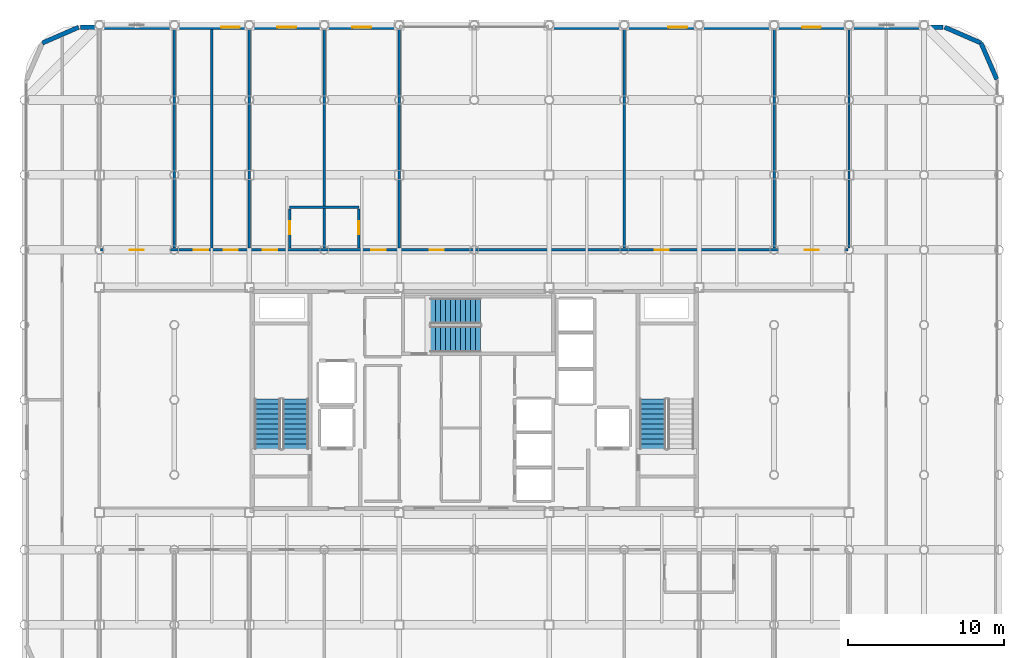
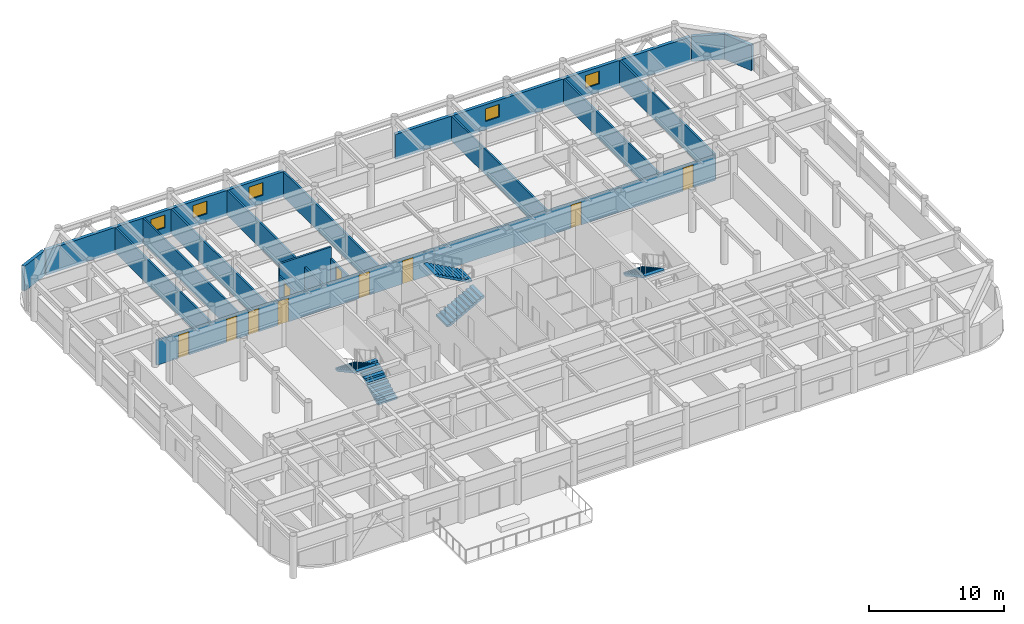
# One storey, part 23 of 26: 17 walls, 10 doors, 5 stair flights, 5 windows, 15 openings, 3 elements without a shape of their own.
"""IFC4 building model written with IfcOpenShell, lengths in metres."""

from ifc_helpers import new_model, si_unit, direction, frame, frame_2d, origin, place, context, subcontext, project, spatial, polyline, rectangle, outline, extrude, material, layer, layer_set, type_object, element, fill, aggregate, save


model = new_model("IFC4")

# Units and contexts
model_context = context("Model", 3, precision=1e-05, world=origin(), true_north=direction((0.0, 1.0)))
body_context = subcontext(model_context, "Body", "Model", "MODEL_VIEW")
ifc_project = project(units=[si_unit("LENGTHUNIT", "METRE"), si_unit("AREAUNIT", "SQUARE_METRE"), si_unit("VOLUMEUNIT", "CUBIC_METRE"), si_unit("PLANEANGLEUNIT", "RADIAN"), si_unit("MASSUNIT", "GRAM", prefix="KILO")], contexts=[model_context])

# Site, building, storey
site_placement = place(None, origin())
site = spatial("IfcSite", under=ifc_project, at=site_placement, CompositionType="ELEMENT")
building_placement = place(site_placement, origin())
building = spatial("IfcBuilding", under=site, at=building_placement, Name="Kallvorn Hotel Tower", CompositionType="ELEMENT")
storey_placement = place(building_placement, frame((0.0, 0.0, 222.300048828125)))
storey = spatial("IfcBuildingStorey", under=building, at=storey_placement, Name="L55", CompositionType="ELEMENT", Elevation=222.300048828125)

# Wall, openings, doors
ifc_material_1 = material(Name="Fire-rated double-layer acoustic gypsum drywall EI 60")
ifc_layer_1 = layer(ifc_material_1, 0.159912109375)
ifc_layer_set_1 = layer_set([ifc_layer_1], Name="WL_DEMISE_160")
wall_type_1 = type_object("IfcWallType", Name="WL_DEMISE_160", PredefinedType="PARTITIONING", material=ifc_layer_set_1)
wall_1_placement = place(storey_placement, frame((-23.919921875, 9.60009765625, 0.0), z_axis=(0.0, 0.0, 1.0), x_axis=(1.0, 0.0, 0.0)))
wall_1 = element("IfcWall", 1, at=wall_1_placement, inside=storey, type_object=wall_type_1, Name="L55 Suite 5503 Standard Twin Room Partition", PredefinedType="PARTITIONING", context=body_context, shape_type="SweptSolid", body=[
    extrude(rectangle(XDim=47.83984375, YDim=0.159912109375, at=frame_2d((23.919921875, 0.0))), origin(), (0.0, 0.0, 1.0), 2.27001953125),
])
opening_1_placement = place(wall_1_placement, frame((1.8701171875, 0.0, 0.0)))
opening_1 = element("IfcOpeningElement", 2, at=opening_1_placement, cuts=wall_1, Name="Opening SVD1", PredefinedType="OPENING", context=body_context, shape_type="SweptSolid", body=[
    extrude(rectangle(XDim=0.89990234375, YDim=2.10009765625, at=frame_2d((0.449951171875, 1.050048828125))), frame((0.0, 0.094970703125, 0.0), z_axis=(0.0, -1.0, 0.0), x_axis=(1.0, 0.0, 0.0)), (0.0, 0.0, 1.0), 0.18994140625),
])
opening_2_placement = place(wall_1_placement, frame((45.070068359375, 0.0, 0.0)))
opening_2 = element("IfcOpeningElement", 3, at=opening_2_placement, cuts=wall_1, Name="Opening SVD1", PredefinedType="OPENING", context=body_context, shape_type="SweptSolid", body=[
    extrude(rectangle(XDim=0.89990234375, YDim=2.10009765625, at=frame_2d((0.449951171875, 1.050048828125))), frame((0.0, 0.094970703125, 0.0), z_axis=(0.0, -1.0, 0.0), x_axis=(1.0, 0.0, 0.0)), (0.0, 0.0, 1.0), 0.18994140625),
])
opening_3_placement = place(wall_1_placement, frame((5.97998046875, 0.0, 0.0)))
opening_3 = element("IfcOpeningElement", 4, at=opening_3_placement, cuts=wall_1, Name="Opening SVD1", PredefinedType="OPENING", context=body_context, shape_type="SweptSolid", body=[
    extrude(rectangle(XDim=0.89990234375, YDim=2.10009765625, at=frame_2d((0.449951171875, 1.050048828125))), frame((0.0, 0.094970703125, 0.0), z_axis=(0.0, -1.0, 0.0), x_axis=(1.0, 0.0, 0.0)), (0.0, 0.0, 1.0), 0.18994140625),
])
opening_4_placement = place(wall_1_placement, frame((7.8701171875, 0.0, 0.0)))
opening_4 = element("IfcOpeningElement", 5, at=opening_4_placement, cuts=wall_1, Name="Opening SVD1", PredefinedType="OPENING", context=body_context, shape_type="SweptSolid", body=[
    extrude(rectangle(XDim=0.89990234375, YDim=2.10009765625, at=frame_2d((0.449951171875, 1.050048828125))), frame((0.0, 0.094970703125, 0.0), z_axis=(0.0, -1.0, 0.0), x_axis=(1.0, 0.0, 0.0)), (0.0, 0.0, 1.0), 0.18994140625),
])
opening_5_placement = place(wall_1_placement, frame((10.39501953125, 0.0, 0.0)))
opening_5 = element("IfcOpeningElement", 6, at=opening_5_placement, cuts=wall_1, Name="Opening GD1", PredefinedType="OPENING", context=body_context, shape_type="SweptSolid", body=[
    extrude(rectangle(XDim=0.919921875, YDim=2.14990234375, at=frame_2d((0.4599609375, 1.074951171875))), frame((0.0, 0.094970703125, 0.0), z_axis=(0.0, -1.0, 0.0), x_axis=(1.0, 0.0, 0.0)), (0.0, 0.0, 1.0), 0.18994140625),
])
opening_6_placement = place(wall_1_placement, frame((17.324951171875, 0.0, 0.0)))
opening_6 = element("IfcOpeningElement", 7, at=opening_6_placement, cuts=wall_1, Name="Opening GD1", PredefinedType="OPENING", context=body_context, shape_type="SweptSolid", body=[
    extrude(rectangle(XDim=0.919921875, YDim=2.14990234375, at=frame_2d((0.4599609375, 1.074951171875))), frame((0.0, 0.094970703125, 0.0), z_axis=(0.0, -1.0, 0.0), x_axis=(1.0, 0.0, 0.0)), (0.0, 0.0, 1.0), 0.18994140625),
])
opening_7_placement = place(wall_1_placement, frame((21.070068359375, 0.0, 0.0)))
opening_7 = element("IfcOpeningElement", 8, at=opening_7_placement, cuts=wall_1, Name="Opening SVD1", PredefinedType="OPENING", context=body_context, shape_type="SweptSolid", body=[
    extrude(rectangle(XDim=0.89990234375, YDim=2.10009765625, at=frame_2d((0.449951171875, 1.050048828125))), frame((0.0, 0.094970703125, 0.0), z_axis=(0.0, -1.0, 0.0), x_axis=(1.0, 0.0, 0.0)), (0.0, 0.0, 1.0), 0.18994140625),
])
opening_8_placement = place(wall_1_placement, frame((35.469970703125, 0.0, 0.0)))
opening_8 = element("IfcOpeningElement", 9, at=opening_8_placement, cuts=wall_1, Name="Opening SVD1", PredefinedType="OPENING", context=body_context, shape_type="SweptSolid", body=[
    extrude(rectangle(XDim=0.89990234375, YDim=2.10009765625, at=frame_2d((0.449951171875, 1.050048828125))), frame((0.0, 0.094970703125, 0.0), z_axis=(0.0, -1.0, 0.0), x_axis=(1.0, 0.0, 0.0)), (0.0, 0.0, 1.0), 0.18994140625),
])
ifc_material_2 = material(Name="Solid-core walnut veneer fire-rated timber door leaf", Category="wood")
door_type_1 = type_object("IfcDoorType", Name="DR_GUEST_920x2150", OperationType="NOTDEFINED", PredefinedType="DOOR", material=ifc_material_2)
door_1_placement = place(opening_5_placement, origin())
door_1 = element("IfcDoor", 10, at=door_1_placement, inside=storey, type_object=door_type_1, Name="L55 Suite 5503 Standard Twin Room Door", OperationType="SINGLE_SWING_LEFT", OverallHeight=2.14990234375, OverallWidth=0.919921875, PredefinedType="DOOR", context=body_context, shape_type="SweptSolid", body=[
    extrude(rectangle(XDim=0.919921875, YDim=2.14990234375, at=frame_2d((0.4599609375, 1.074951171875))), frame((0.0, 0.02490234375, 0.0), z_axis=(0.0, -1.0, 0.0), x_axis=(1.0, 0.0, 0.0)), (0.0, 0.0, 1.0), 0.050048828125),
])
fill(opening_5, door_1)
door_2_placement = place(opening_6_placement, origin())
door_2 = element("IfcDoor", 11, at=door_2_placement, inside=storey, type_object=door_type_1, Name="L55 Suite 5504 Standard Twin Room Door", OperationType="SINGLE_SWING_LEFT", OverallHeight=2.14990234375, OverallWidth=0.919921875, PredefinedType="DOOR", context=body_context, shape_type="SweptSolid", body=[
    extrude(rectangle(XDim=0.919921875, YDim=2.14990234375, at=frame_2d((0.4599609375, 1.074951171875))), frame((0.0, 0.02490234375, 0.0), z_axis=(0.0, -1.0, 0.0), x_axis=(1.0, 0.0, 0.0)), (0.0, 0.0, 1.0), 0.050048828125),
])
fill(opening_6, door_2)
ifc_material_3 = material(Name="Galvanised painted steel fire-rated door assembly", Category="steel")
door_type_2 = type_object("IfcDoorType", Name="DR_SERV_900x2100", OperationType="NOTDEFINED", PredefinedType="DOOR", material=ifc_material_3)
door_3_placement = place(opening_1_placement, origin())
door_3 = element("IfcDoor", 12, at=door_3_placement, inside=storey, type_object=door_type_2, Name="L55 L55 High-Zone North-West Reading Salon Door", OperationType="SINGLE_SWING_RIGHT", OverallHeight=2.10009765625, OverallWidth=0.89990234375, PredefinedType="DOOR", context=body_context, shape_type="SweptSolid", body=[
    extrude(rectangle(XDim=0.89990234375, YDim=2.10009765625, at=frame_2d((0.449951171875, 1.050048828125))), frame((0.0, 0.02490234375, 0.0), z_axis=(0.0, -1.0, 0.0), x_axis=(1.0, 0.0, 0.0)), (0.0, 0.0, 1.0), 0.050048828125),
])
fill(opening_1, door_3)
door_4_placement = place(opening_2_placement, origin())
door_4 = element("IfcDoor", 13, at=door_4_placement, inside=storey, type_object=door_type_2, Name="L55 L55 High-Zone North-East Pastry Bar Door", OperationType="SINGLE_SWING_RIGHT", OverallHeight=2.10009765625, OverallWidth=0.89990234375, PredefinedType="DOOR", context=body_context, shape_type="SweptSolid", body=[
    extrude(rectangle(XDim=0.89990234375, YDim=2.10009765625, at=frame_2d((0.449951171875, 1.050048828125))), frame((0.0, 0.02490234375, 0.0), z_axis=(0.0, -1.0, 0.0), x_axis=(1.0, 0.0, 0.0)), (0.0, 0.0, 1.0), 0.050048828125),
])
fill(opening_2, door_4)
door_5_placement = place(opening_3_placement, origin())
door_5 = element("IfcDoor", 14, at=door_5_placement, inside=storey, type_object=door_type_2, Name="L55 Housekeeping and Linen Room Door", OperationType="SINGLE_SWING_RIGHT", OverallHeight=2.10009765625, OverallWidth=0.89990234375, PredefinedType="DOOR", context=body_context, shape_type="SweptSolid", body=[
    extrude(rectangle(XDim=0.89990234375, YDim=2.10009765625, at=frame_2d((0.449951171875, 1.050048828125))), frame((0.0, 0.02490234375, 0.0), z_axis=(0.0, -1.0, 0.0), x_axis=(1.0, 0.0, 0.0)), (0.0, 0.0, 1.0), 0.050048828125),
])
fill(opening_3, door_5)
door_6_placement = place(opening_4_placement, origin())
door_6 = element("IfcDoor", 15, at=door_6_placement, inside=storey, type_object=door_type_2, Name="L55 Guest Tea and Refreshment Bar Door", OperationType="SINGLE_SWING_RIGHT", OverallHeight=2.10009765625, OverallWidth=0.89990234375, PredefinedType="DOOR", context=body_context, shape_type="SweptSolid", body=[
    extrude(rectangle(XDim=0.89990234375, YDim=2.10009765625, at=frame_2d((0.449951171875, 1.050048828125))), frame((0.0, 0.02490234375, 0.0), z_axis=(0.0, -1.0, 0.0), x_axis=(1.0, 0.0, 0.0)), (0.0, 0.0, 1.0), 0.050048828125),
])
fill(opening_4, door_6)
door_7_placement = place(opening_7_placement, origin())
door_7 = element("IfcDoor", 16, at=door_7_placement, inside=storey, type_object=door_type_2, Name="L55 L55 Executive Co-Working Open-Plan Office 4 Door", OperationType="SINGLE_SWING_LEFT", OverallHeight=2.10009765625, OverallWidth=0.89990234375, PredefinedType="DOOR", context=body_context, shape_type="SweptSolid", body=[
    extrude(rectangle(XDim=0.89990234375, YDim=2.10009765625, at=frame_2d((0.449951171875, 1.050048828125))), frame((0.0, 0.02490234375, 0.0), z_axis=(0.0, -1.0, 0.0), x_axis=(1.0, 0.0, 0.0)), (0.0, 0.0, 1.0), 0.050048828125),
])
fill(opening_7, door_7)
door_8_placement = place(opening_8_placement, origin())
door_8 = element("IfcDoor", 17, at=door_8_placement, inside=storey, type_object=door_type_2, Name="L55 L55 Andean Tasting Sky Restaurant 5 Door", OperationType="SINGLE_SWING_LEFT", OverallHeight=2.10009765625, OverallWidth=0.89990234375, PredefinedType="DOOR", context=body_context, shape_type="SweptSolid", body=[
    extrude(rectangle(XDim=0.89990234375, YDim=2.10009765625, at=frame_2d((0.449951171875, 1.050048828125))), frame((0.0, 0.02490234375, 0.0), z_axis=(0.0, -1.0, 0.0), x_axis=(1.0, 0.0, 0.0)), (0.0, 0.0, 1.0), 0.050048828125),
])
fill(opening_8, door_8)

# Walls
wall_2_placement = place(storey_placement, frame((-11.81005859375, 12.320068359375, 0.0), z_axis=(0.0, 0.0, 1.0), x_axis=(1.0, 0.0, 0.0)))
element("IfcWall", 18, at=wall_2_placement, inside=storey, type_object=wall_type_1, Name="L55 Suite 5503 Standard Twin Room Partition", PredefinedType="PARTITIONING", context=body_context, shape_type="SweptSolid", body=[
    extrude(rectangle(XDim=4.420166015625, YDim=0.159912109375, at=frame_2d((2.2099609375, 0.0))), origin(), (0.0, 0.0, 1.0), 3.31005859375),
])
wall_3_placement = place(storey_placement, frame((-14.39990234375, 9.719970703125, 0.0), z_axis=(0.0, 0.0, 1.0), x_axis=(0.0, 1.0, 0.0)))
element("IfcWall", 19, at=wall_3_placement, inside=storey, type_object=wall_type_1, Name="L55 Suite 5503 Standard Twin Room Partition", PredefinedType="PARTITIONING", context=body_context, shape_type="SweptSolid", body=[
    extrude(rectangle(XDim=13.989990234375, YDim=0.159912109375, at=frame_2d((6.9951171875, 0.0))), origin(), (0.0, 0.0, 1.0), 2.27001953125),
])

# Wall, opening, door
wall_4_placement = place(storey_placement, frame((-11.81005859375, 9.719970703125, 0.0), z_axis=(0.0, 0.0, 1.0), x_axis=(0.0, 1.0, 0.0)))
wall_4 = element("IfcWall", 20, at=wall_4_placement, inside=storey, type_object=wall_type_1, Name="L55 Suite 5503 Standard Twin Room Partition", PredefinedType="PARTITIONING", context=body_context, shape_type="SweptSolid", body=[
    extrude(rectangle(XDim=2.51513671875, YDim=0.159912109375, at=frame_2d((1.257568359375, 0.0))), origin(), (0.0, 0.0, 1.0), 2.27001953125),
])
opening_9_placement = place(wall_4_placement, frame((0.8701171875, 0.0, 0.0)))
opening_9 = element("IfcOpeningElement", 21, at=opening_9_placement, cuts=wall_4, Name="Opening BD-I", PredefinedType="OPENING", context=body_context, shape_type="SweptSolid", body=[
    extrude(rectangle(XDim=0.860107421875, YDim=2.10009765625, at=frame_2d((0.43017578125, 1.050048828125))), frame((0.0, 0.094970703125, 0.0), z_axis=(0.0, -1.0, 0.0), x_axis=(1.0, 0.0, 0.0)), (0.0, 0.0, 1.0), 0.18994140625),
])
ifc_material_4 = material(Name="Solid-core walnut veneer fire-rated timber door leaf", Category="wood")
door_type_3 = type_object("IfcDoorType", Name="DR_BATH_860x2100", OperationType="NOTDEFINED", PredefinedType="DOOR", material=ifc_material_4)
door_9_placement = place(opening_9_placement, origin())
door_9 = element("IfcDoor", 22, at=door_9_placement, inside=storey, type_object=door_type_3, Name="L55 Suite 5503 En-Suite Bathroom Door", OperationType="SINGLE_SWING_LEFT", OverallHeight=2.10009765625, OverallWidth=0.860107421875, PredefinedType="DOOR", context=body_context, shape_type="SweptSolid", body=[
    extrude(rectangle(XDim=0.860107421875, YDim=2.10009765625, at=frame_2d((0.43017578125, 1.050048828125))), frame((0.0, 0.02490234375, 0.0), z_axis=(0.0, -1.0, 0.0), x_axis=(1.0, 0.0, 0.0)), (0.0, 0.0, 1.0), 0.050048828125),
])
fill(opening_9, door_9)

# Wall
wall_5_placement = place(storey_placement, frame((-9.60009765625, 9.719970703125, 0.0), z_axis=(0.0, 0.0, 1.0), x_axis=(0.0, 1.0, 0.0)))
element("IfcWall", 23, at=wall_5_placement, inside=storey, type_object=wall_type_1, Name="L55 Suite 5503 Standard Twin Room Partition", PredefinedType="PARTITIONING", context=body_context, shape_type="SweptSolid", body=[
    extrude(rectangle(XDim=13.989990234375, YDim=0.159912109375, at=frame_2d((6.9951171875, 0.0))), origin(), (0.0, 0.0, 1.0), 2.27001953125),
])

# Wall, opening, door
wall_6_placement = place(storey_placement, frame((-7.389892578125, 9.719970703125, 0.0), z_axis=(0.0, 0.0, 1.0), x_axis=(0.0, 1.0, 0.0)))
wall_6 = element("IfcWall", 24, at=wall_6_placement, inside=storey, type_object=wall_type_1, Name="L55 Suite 5504 Standard Twin Room Partition", PredefinedType="PARTITIONING", context=body_context, shape_type="SweptSolid", body=[
    extrude(rectangle(XDim=2.51513671875, YDim=0.159912109375, at=frame_2d((1.257568359375, 0.0))), origin(), (0.0, 0.0, 1.0), 2.27001953125),
])
opening_10_placement = place(wall_6_placement, frame((0.8701171875, 0.0, 0.0)))
opening_10 = element("IfcOpeningElement", 25, at=opening_10_placement, cuts=wall_6, Name="Opening BD-I", PredefinedType="OPENING", context=body_context, shape_type="SweptSolid", body=[
    extrude(rectangle(XDim=0.860107421875, YDim=2.10009765625, at=frame_2d((0.43017578125, 1.050048828125))), frame((0.0, 0.094970703125, 0.0), z_axis=(0.0, -1.0, 0.0), x_axis=(1.0, 0.0, 0.0)), (0.0, 0.0, 1.0), 0.18994140625),
])
door_10_placement = place(opening_10_placement, origin())
door_10 = element("IfcDoor", 26, at=door_10_placement, inside=storey, type_object=door_type_3, Name="L55 Suite 5504 En-Suite Bathroom Door", OperationType="SINGLE_SWING_LEFT", OverallHeight=2.10009765625, OverallWidth=0.860107421875, PredefinedType="DOOR", context=body_context, shape_type="SweptSolid", body=[
    extrude(rectangle(XDim=0.860107421875, YDim=2.10009765625, at=frame_2d((0.43017578125, 1.050048828125))), frame((0.0, 0.02490234375, 0.0), z_axis=(0.0, -1.0, 0.0), x_axis=(1.0, 0.0, 0.0)), (0.0, 0.0, 1.0), 0.050048828125),
])
fill(opening_10, door_10)

# Walls
wall_7_placement = place(storey_placement, frame((-4.800048828125, 9.719970703125, 0.0), z_axis=(0.0, 0.0, 1.0), x_axis=(0.0, 1.0, 0.0)))
element("IfcWall", 27, at=wall_7_placement, inside=storey, type_object=wall_type_1, Name="L55 Suite 5504 Standard Twin Room Partition", PredefinedType="PARTITIONING", context=body_context, shape_type="SweptSolid", body=[
    extrude(rectangle(XDim=13.989990234375, YDim=0.159912109375, at=frame_2d((6.9951171875, 0.0))), origin(), (0.0, 0.0, 1.0), 2.27001953125),
])
ifc_material_5 = material(Name="Precast basalt-clad insulated concrete wall C40/50", Category="masonry")
ifc_layer_2 = layer(ifc_material_5, 0.280029296875)
ifc_layer_set_2 = layer_set([ifc_layer_2], Name="WL_EXT_LOGGIA_280")
wall_type_2 = type_object("IfcWallType", Name="WL_EXT_LOGGIA_280", PredefinedType="SOLIDWALL", material=ifc_layer_set_2)
wall_8_placement = place(storey_placement, frame((33.4580078125, 20.520751953125, 0.0), z_axis=(0.0, 0.0, 1.0), x_axis=(-0.398792985289, 0.917040977756, 0.0)))
element("IfcWall", 28, at=wall_8_placement, inside=storey, type_object=wall_type_2, Name="L55 Rounded Corner Exterior Wall NE1", PredefinedType="SOLIDWALL", context=body_context, shape_type="SweptSolid", body=[
    extrude(rectangle(XDim=2.536376953125, YDim=0.280029296875, at=frame_2d((1.26806640625, 0.0))), origin(), (0.0, 0.0, 1.0), 2.27001953125),
])
for number, where, z_axis, x_axis, name in (
    (29, (32.446533203125, 22.8466796875, 0.0), (0.0, 0.0, 1.0), (-0.917060872934, 0.398747232384, 0.0), "L55 Rounded Corner Exterior Wall NE2"),
    (30, (-25.32080078125, 23.85791015625, 0.0), (0.0, 0.0, 1.0), (-0.917060872934, -0.398747232384, 0.0), "L55 Rounded Corner Exterior Wall NW1"),
):
    element("IfcWall", number, at=place(storey_placement, frame(where, z_axis=z_axis, x_axis=x_axis)), inside=storey, type_object=wall_type_2, Name=name, PredefinedType="SOLIDWALL", context=body_context, shape_type="SweptSolid", body=[
        extrude(rectangle(XDim=2.5361328125, YDim=0.280029296875, at=frame_2d((1.26806640625, 0.0))), origin(), (0.0, 0.0, 1.0), 2.27001953125),
    ])

# Wall, openings, windows
wall_9_placement = place(storey_placement, frame((-25.199951171875, 23.860107421875, 0.0), z_axis=(0.0, 0.0, 1.0), x_axis=(1.0, 0.0, 0.0)))
wall_9 = element("IfcWall", 31, at=wall_9_placement, inside=storey, type_object=wall_type_2, Name="L55 Exterior Envelope Wall EW-L55-NW", PredefinedType="SOLIDWALL", context=body_context, shape_type="SweptSolid", body=[
    extrude(rectangle(XDim=20.449951171875, YDim=0.280029296875, at=frame_2d((10.22509765625, 0.0))), origin(), (0.0, 0.0, 1.0), 2.27001953125),
])
opening_11_placement = place(wall_9_placement, frame((9.0, 0.0, 0.75)))
opening_11 = element("IfcOpeningElement", 32, at=opening_11_placement, cuts=wall_9, Name="Opening W06A", PredefinedType="OPENING", context=body_context, shape_type="SweptSolid", body=[
    extrude(rectangle(XDim=1.199951171875, YDim=1.14990234375, at=frame_2d((0.60009765625, 0.574951171875))), frame((0.0, 0.155029296875, 0.0), z_axis=(0.0, -1.0, 0.0), x_axis=(1.0, 0.0, 0.0)), (0.0, 0.0, 1.0), 0.31005859375),
])
opening_12_placement = place(wall_9_placement, frame((12.60009765625, 0.0, 0.75)))
opening_12 = element("IfcOpeningElement", 33, at=opening_12_placement, cuts=wall_9, Name="Opening W06A", PredefinedType="OPENING", context=body_context, shape_type="SweptSolid", body=[
    extrude(rectangle(XDim=1.199951171875, YDim=1.14990234375, at=frame_2d((0.60009765625, 0.574951171875))), frame((0.0, 0.155029296875, 0.0), z_axis=(0.0, -1.0, 0.0), x_axis=(1.0, 0.0, 0.0)), (0.0, 0.0, 1.0), 0.31005859375),
])
opening_13_placement = place(wall_9_placement, frame((17.39990234375, 0.0, 0.75)))
opening_13 = element("IfcOpeningElement", 34, at=opening_13_placement, cuts=wall_9, Name="Opening W06A", PredefinedType="OPENING", context=body_context, shape_type="SweptSolid", body=[
    extrude(rectangle(XDim=1.199951171875, YDim=1.14990234375, at=frame_2d((0.60009765625, 0.574951171875))), frame((0.0, 0.155029296875, 0.0), z_axis=(0.0, -1.0, 0.0), x_axis=(1.0, 0.0, 0.0)), (0.0, 0.0, 1.0), 0.31005859375),
])
ifc_material_6 = material(Name="Triple-glazed low-e acoustic solar-control dark glass", Category="glass")
window_type = type_object("IfcWindowType", Name="WN_HTL_1200x1150", PartitioningType="SINGLE_PANEL", PredefinedType="WINDOW", material=ifc_material_6)
window_1_placement = place(opening_11_placement, origin())
window_1 = element("IfcWindow", 35, at=window_1_placement, inside=storey, type_object=window_type, Name="L55 Guestroom Exterior Window 07", OverallHeight=1.14990234375, OverallWidth=1.199951171875, PartitioningType="SINGLE_PANEL", PredefinedType="WINDOW", context=body_context, shape_type="SweptSolid", body=[
    extrude(rectangle(XDim=1.199951171875, YDim=1.14990234375, at=frame_2d((0.60009765625, 0.574951171875))), frame((0.0, 0.030029296875, 0.0), z_axis=(0.0, -1.0, 0.0), x_axis=(1.0, 0.0, 0.0)), (0.0, 0.0, 1.0), 0.06005859375),
])
fill(opening_11, window_1)
window_2_placement = place(opening_12_placement, origin())
window_2 = element("IfcWindow", 36, at=window_2_placement, inside=storey, type_object=window_type, Name="L55 Guestroom Exterior Window 08", OverallHeight=1.14990234375, OverallWidth=1.199951171875, PartitioningType="SINGLE_PANEL", PredefinedType="WINDOW", context=body_context, shape_type="SweptSolid", body=[
    extrude(rectangle(XDim=1.199951171875, YDim=1.14990234375, at=frame_2d((0.60009765625, 0.574951171875))), frame((0.0, 0.030029296875, 0.0), z_axis=(0.0, -1.0, 0.0), x_axis=(1.0, 0.0, 0.0)), (0.0, 0.0, 1.0), 0.06005859375),
])
fill(opening_12, window_2)
window_3_placement = place(opening_13_placement, origin())
window_3 = element("IfcWindow", 37, at=window_3_placement, inside=storey, type_object=window_type, Name="L55 Guestroom Exterior Window 09", OverallHeight=1.14990234375, OverallWidth=1.199951171875, PartitioningType="SINGLE_PANEL", PredefinedType="WINDOW", context=body_context, shape_type="SweptSolid", body=[
    extrude(rectangle(XDim=1.199951171875, YDim=1.14990234375, at=frame_2d((0.60009765625, 0.574951171875))), frame((0.0, 0.030029296875, 0.0), z_axis=(0.0, -1.0, 0.0), x_axis=(1.0, 0.0, 0.0)), (0.0, 0.0, 1.0), 0.06005859375),
])
fill(opening_13, window_3)

wall_10_placement = place(storey_placement, frame((4.75, 23.860107421875, 0.0), z_axis=(0.0, 0.0, 1.0), x_axis=(1.0, 0.0, 0.0)))
wall_10 = element("IfcWall", 38, at=wall_10_placement, inside=storey, type_object=wall_type_2, Name="L55 Exterior Envelope Wall EW-L55-NE", PredefinedType="SOLIDWALL", context=body_context, shape_type="SweptSolid", body=[
    extrude(rectangle(XDim=25.25, YDim=0.280029296875, at=frame_2d((12.625, 0.0))), origin(), (0.0, 0.0, 1.0), 2.27001953125),
])
opening_14_placement = place(wall_10_placement, frame((16.25, 0.0, 0.75)))
opening_14 = element("IfcOpeningElement", 39, at=opening_14_placement, cuts=wall_10, Name="Opening W06A", PredefinedType="OPENING", context=body_context, shape_type="SweptSolid", body=[
    extrude(rectangle(XDim=1.199951171875, YDim=1.14990234375, at=frame_2d((0.60009765625, 0.574951171875))), frame((0.0, 0.155029296875, 0.0), z_axis=(0.0, -1.0, 0.0), x_axis=(1.0, 0.0, 0.0)), (0.0, 0.0, 1.0), 0.31005859375),
])
opening_15_placement = place(wall_10_placement, frame((7.68408203125, 0.0, 0.75)))
opening_15 = element("IfcOpeningElement", 40, at=opening_15_placement, cuts=wall_10, Name="Opening W06A", PredefinedType="OPENING", context=body_context, shape_type="SweptSolid", body=[
    extrude(rectangle(XDim=1.199951171875, YDim=1.14990234375, at=frame_2d((0.60009765625, 0.574951171875))), frame((0.0, 0.155029296875, 0.0), z_axis=(0.0, -1.0, 0.0), x_axis=(1.0, 0.0, 0.0)), (0.0, 0.0, 1.0), 0.31005859375),
])
window_4_placement = place(opening_14_placement, origin())
window_4 = element("IfcWindow", 41, at=window_4_placement, inside=storey, type_object=window_type, Name="L55 Guestroom Exterior Window 02", OverallHeight=1.14990234375, OverallWidth=1.199951171875, PartitioningType="SINGLE_PANEL", PredefinedType="WINDOW", context=body_context, shape_type="SweptSolid", body=[
    extrude(rectangle(XDim=1.199951171875, YDim=1.14990234375, at=frame_2d((0.60009765625, 0.574951171875))), frame((0.0, 0.030029296875, 0.0), z_axis=(0.0, -1.0, 0.0), x_axis=(1.0, 0.0, 0.0)), (0.0, 0.0, 1.0), 0.06005859375),
])
fill(opening_14, window_4)
window_5_placement = place(opening_15_placement, origin())
window_5 = element("IfcWindow", 42, at=window_5_placement, inside=storey, type_object=window_type, Name="L55 Guestroom Exterior Window 10", OverallHeight=1.14990234375, OverallWidth=1.199951171875, PartitioningType="SINGLE_PANEL", PredefinedType="WINDOW", context=body_context, shape_type="SweptSolid", body=[
    extrude(rectangle(XDim=1.199951171875, YDim=1.14990234375, at=frame_2d((0.60009765625, 0.574951171875))), frame((0.0, 0.030029296875, 0.0), z_axis=(0.0, -1.0, 0.0), x_axis=(1.0, 0.0, 0.0)), (0.0, 0.0, 1.0), 0.06005859375),
])
fill(opening_15, window_5)

# Walls
ifc_material_7 = material(Name="Fire-rated double-layer acoustic gypsum drywall EI 60")
ifc_layer_3 = layer(ifc_material_7, 0.14990234375)
ifc_layer_set_3 = layer_set([ifc_layer_3], Name="WL_PART_150")
wall_type_3 = type_object("IfcWallType", Name="WL_PART_150", PredefinedType="PARTITIONING", material=ifc_layer_set_3)
for number, where, z_axis, x_axis, name in (
    (43, (-19.199951171875, 9.719970703125, 0.0), (0.0, 0.0, 1.0), (0.0, 1.0, 0.0), "L55 Housekeeping and Linen Room Partition"),
    (44, (-16.800048828125, 9.719970703125, 0.0), (0.0, 0.0, 1.0), (0.0, 1.0, 0.0), "L55 Guest Tea and Refreshment Bar Partition"),
    (45, (9.60009765625, 9.719970703125, 0.0), (0.0, 0.0, 1.0), (0.0, 1.0, 0.0), "L55 L55 Andean Tasting Sky Restaurant 5 Partition"),
    (46, (19.199951171875, 9.719970703125, 0.0), (0.0, 0.0, 1.0), (0.0, 1.0, 0.0), "L55 L55 Andean Tasting Sky Restaurant 5 Partition"),
    (47, (24.0, 9.719970703125, 0.0), (0.0, 0.0, 1.0), (0.0, 1.0, 0.0), "L55 L55 High-Zone North-East Pastry Bar Partition"),
):
    element("IfcWall", number, at=place(storey_placement, frame(where, z_axis=z_axis, x_axis=x_axis)), inside=storey, type_object=wall_type_3, Name=name, PredefinedType="PARTITIONING", context=body_context, shape_type="SweptSolid", body=[
        extrude(rectangle(XDim=13.989990234375, YDim=0.14990234375, at=frame_2d((6.9951171875, 0.0))), origin(), (0.0, 0.0, 1.0), 2.27001953125),
    ])

# Stair, stair flights
ifc_material_8 = material(Name="Precast concrete C40/50", Category="concrete")
stair_type = type_object("IfcStairType", Name="STR_CORE_DOGLEG", PredefinedType="HALF_TURN_STAIR", material=ifc_material_8)
stair_1_placement = place(storey_placement, origin())
stair_1 = element("IfcStair", 48, at=stair_1_placement, inside=storey, type_object=stair_type, Name="L55 Exit stair ST1", PredefinedType="HALF_TURN_STAIR")
ifc_material_9 = material(Name="Precast concrete C40/50", Category="concrete")
stair_flight_type = type_object("IfcStairFlightType", Name="FLT_CORE_1660", PredefinedType="STRAIGHT", material=ifc_material_9)
stair_flight_1_placement = place(storey_placement, frame((-11.429931640625, -3.139892578125, 0.0), z_axis=(0.0, 0.0, 1.0), x_axis=(0.0, 1.0, 0.0)))
stair_flight_1 = element("IfcStairFlight", 49, at=stair_flight_1_placement, type_object=stair_flight_type, Name="ST1 flight 1", NumberOfRisers=11, NumberOfTreads=10, PredefinedType="STRAIGHT", RiserHeight=0.175, TreadLength=0.32, context=body_context, shape_type="SweptSolid", body=[
    extrude(outline(polyline([(0.0, 0.0), (0.0, 0.175048828125), (0.320068359375, 0.175048828125), (0.320068359375, 0.35009765625), (0.639892578125, 0.35009765625), (0.639892578125, 0.52490234375), (0.9599609375, 0.52490234375), (0.9599609375, 0.699951171875), (1.280029296875, 0.699951171875), (1.280029296875, 0.875), (1.60009765625, 0.875), (1.60009765625, 1.050048828125), (1.919921875, 1.050048828125), (1.919921875, 1.22509765625), (2.239990234375, 1.22509765625), (2.239990234375, 1.39990234375), (2.56005859375, 1.39990234375), (2.56005859375, 1.574951171875), (2.8798828125, 1.574951171875), (2.8798828125, 1.75), (3.199951171875, 1.75), (3.199951171875, 1.925048828125), (3.199951171875, 1.5791015625), (0.3125, 0.0), (0.0, 0.0)])), frame((0.0, 0.830078125, 0.0), z_axis=(0.0, -1.0, 0.0), x_axis=(1.0, 0.0, 0.0)), (0.0, 0.0, 1.0), 1.659912109375),
])
stair_flight_2_placement = place(storey_placement, frame((-13.22998046875, 0.06005859375, 1.925048828125), z_axis=(0.0, 0.0, 1.0), x_axis=(0.0, -1.0, 0.0)))
stair_flight_2 = element("IfcStairFlight", 50, at=stair_flight_2_placement, type_object=stair_flight_type, Name="ST1 flight 2", NumberOfRisers=11, NumberOfTreads=10, PredefinedType="STRAIGHT", RiserHeight=0.175, TreadLength=0.32, context=body_context, shape_type="SweptSolid", body=[
    extrude(outline(polyline([(0.0, 0.0), (0.0, 0.175048828125), (0.320068359375, 0.175048828125), (0.320068359375, 0.35009765625), (0.639892578125, 0.35009765625), (0.639892578125, 0.52490234375), (0.9599609375, 0.52490234375), (0.9599609375, 0.699951171875), (1.280029296875, 0.699951171875), (1.280029296875, 0.875), (1.60009765625, 0.875), (1.60009765625, 1.050048828125), (1.919921875, 1.050048828125), (1.919921875, 1.22509765625), (2.239990234375, 1.22509765625), (2.239990234375, 1.39990234375), (2.56005859375, 1.39990234375), (2.56005859375, 1.574951171875), (2.8798828125, 1.574951171875), (2.8798828125, 1.75), (3.199951171875, 1.75), (3.199951171875, 1.925048828125), (3.199951171875, 1.5791015625), (0.3125, 0.0), (0.0, 0.0)])), frame((0.0, 0.830078125, 0.0), z_axis=(0.0, -1.0, 0.0), x_axis=(1.0, 0.0, 0.0)), (0.0, 0.0, 1.0), 1.659912109375),
])
aggregate(stair_1, [stair_flight_1, stair_flight_2])

# Stair, stair flight
stair_2_placement = place(storey_placement, origin())
stair_2 = element("IfcStair", 51, at=stair_2_placement, inside=storey, type_object=stair_type, Name="L55 Exit stair ST2", PredefinedType="HALF_TURN_STAIR")
stair_flight_3_placement = place(storey_placement, frame((11.429931640625, 0.06005859375, 1.925048828125), z_axis=(0.0, 0.0, 1.0), x_axis=(0.0, -1.0, 0.0)))
stair_flight_3 = element("IfcStairFlight", 52, at=stair_flight_3_placement, type_object=stair_flight_type, Name="ST2 flight 2", NumberOfRisers=11, NumberOfTreads=10, PredefinedType="STRAIGHT", RiserHeight=0.175, TreadLength=0.32, context=body_context, shape_type="SweptSolid", body=[
    extrude(outline(polyline([(0.0, 0.0), (0.0, 0.175048828125), (0.320068359375, 0.175048828125), (0.320068359375, 0.35009765625), (0.639892578125, 0.35009765625), (0.639892578125, 0.52490234375), (0.9599609375, 0.52490234375), (0.9599609375, 0.699951171875), (1.280029296875, 0.699951171875), (1.280029296875, 0.875), (1.60009765625, 0.875), (1.60009765625, 1.050048828125), (1.919921875, 1.050048828125), (1.919921875, 1.22509765625), (2.239990234375, 1.22509765625), (2.239990234375, 1.39990234375), (2.56005859375, 1.39990234375), (2.56005859375, 1.574951171875), (2.8798828125, 1.574951171875), (2.8798828125, 1.75), (3.199951171875, 1.75), (3.199951171875, 1.925048828125), (3.199951171875, 1.5791015625), (0.3125, 0.0), (0.0, 0.0)])), frame((0.0, 0.830078125, 0.0), z_axis=(0.0, -1.0, 0.0), x_axis=(1.0, 0.0, 0.0)), (0.0, 0.0, 1.0), 1.659912109375),
])
aggregate(stair_2, [stair_flight_3])

# Stair, stair flights
stair_3_placement = place(storey_placement, origin())
stair_3 = element("IfcStair", 53, at=stair_3_placement, inside=storey, type_object=stair_type, Name="L55 Exit stair ST3", PredefinedType="HALF_TURN_STAIR")
stair_flight_4_placement = place(storey_placement, frame((-2.7900390625, 3.8798828125, 0.0), z_axis=(0.0, 0.0, 1.0), x_axis=(1.0, 0.0, 0.0)))
stair_flight_4 = element("IfcStairFlight", 54, at=stair_flight_4_placement, type_object=stair_flight_type, Name="ST3 flight 1", NumberOfRisers=11, NumberOfTreads=10, PredefinedType="STRAIGHT", RiserHeight=0.175, TreadLength=0.32, context=body_context, shape_type="SweptSolid", body=[
    extrude(outline(polyline([(0.0, 0.0), (0.0, 0.175048828125), (0.320068359375, 0.175048828125), (0.320068359375, 0.35009765625), (0.639892578125, 0.35009765625), (0.639892578125, 0.52490234375), (0.9599609375, 0.52490234375), (0.9599609375, 0.699951171875), (1.280029296875, 0.699951171875), (1.280029296875, 0.875), (1.60009765625, 0.875), (1.60009765625, 1.050048828125), (1.919921875, 1.050048828125), (1.919921875, 1.22509765625), (2.239990234375, 1.22509765625), (2.239990234375, 1.39990234375), (2.56005859375, 1.39990234375), (2.56005859375, 1.574951171875), (2.8798828125, 1.574951171875), (2.8798828125, 1.75), (3.199951171875, 1.75), (3.199951171875, 1.925048828125), (3.199951171875, 1.5791015625), (0.3125, 0.0), (0.0, 0.0)])), frame((0.0, 0.830078125, 0.0), z_axis=(0.0, -1.0, 0.0), x_axis=(1.0, 0.0, 0.0)), (0.0, 0.0, 1.0), 1.659912109375),
])
stair_flight_5_placement = place(storey_placement, frame((0.409912109375, 5.679931640625, 1.925048828125), z_axis=(0.0, 0.0, 1.0), x_axis=(-1.0, 0.0, 0.0)))
stair_flight_5 = element("IfcStairFlight", 55, at=stair_flight_5_placement, type_object=stair_flight_type, Name="ST3 flight 2", NumberOfRisers=11, NumberOfTreads=10, PredefinedType="STRAIGHT", RiserHeight=0.175, TreadLength=0.32, context=body_context, shape_type="SweptSolid", body=[
    extrude(outline(polyline([(0.0, 0.0), (0.0, 0.175048828125), (0.320068359375, 0.175048828125), (0.320068359375, 0.35009765625), (0.639892578125, 0.35009765625), (0.639892578125, 0.52490234375), (0.9599609375, 0.52490234375), (0.9599609375, 0.699951171875), (1.280029296875, 0.699951171875), (1.280029296875, 0.875), (1.60009765625, 0.875), (1.60009765625, 1.050048828125), (1.919921875, 1.050048828125), (1.919921875, 1.22509765625), (2.239990234375, 1.22509765625), (2.239990234375, 1.39990234375), (2.56005859375, 1.39990234375), (2.56005859375, 1.574951171875), (2.8798828125, 1.574951171875), (2.8798828125, 1.75), (3.199951171875, 1.75), (3.199951171875, 1.925048828125), (3.199951171875, 1.5791015625), (0.3125, 0.0), (0.0, 0.0)])), frame((0.0, 0.830078125, 0.0), z_axis=(0.0, -1.0, 0.0), x_axis=(1.0, 0.0, 0.0)), (0.0, 0.0, 1.0), 1.659912109375),
])
aggregate(stair_3, [stair_flight_4, stair_flight_5])

save(model, "model.ifc")
